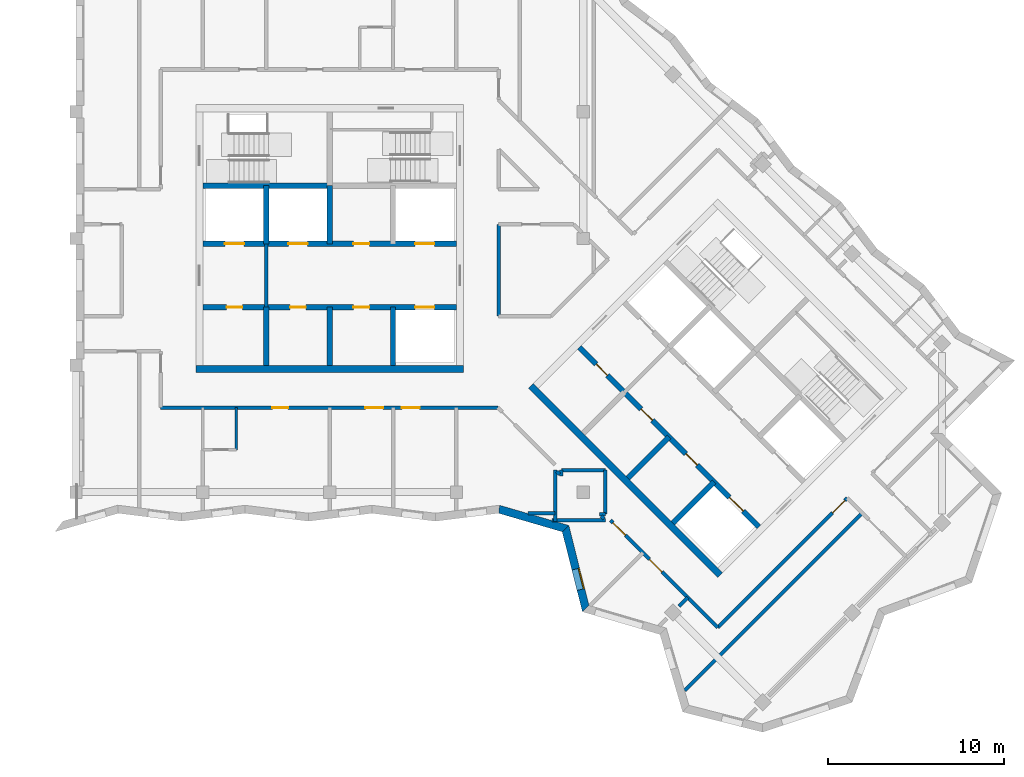
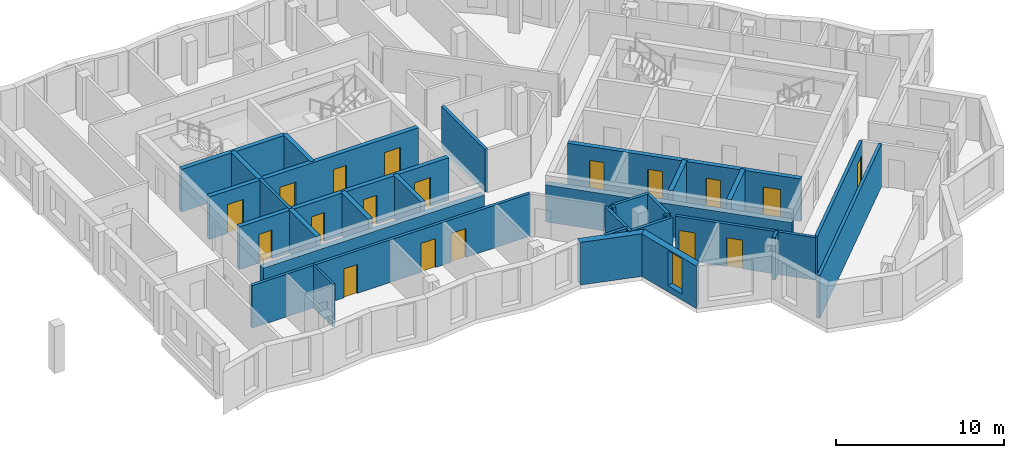
# One storey, part 3 of 12: 32 walls, 18 doors, 1 window, 19 openings.
"""IFC4 building model written with IfcOpenShell, lengths in metres."""

from ifc_helpers import new_model, si_unit, direction, frame, frame_2d, origin, place, context, subcontext, project, spatial, polyline, rectangle, outline, extrude, material, layer, layer_set, type_object, element, fill, save


model = new_model("IFC4")

# Units and contexts
model_context = context("Model", 3, precision=1e-05, world=origin(), true_north=direction((0.0, 1.0)))
body_context = subcontext(model_context, "Body", "Model", "MODEL_VIEW")
ifc_project = project(units=[si_unit("LENGTHUNIT", "METRE"), si_unit("AREAUNIT", "SQUARE_METRE"), si_unit("VOLUMEUNIT", "CUBIC_METRE"), si_unit("PLANEANGLEUNIT", "RADIAN"), si_unit("MASSUNIT", "GRAM", prefix="KILO")], contexts=[model_context])

# Site, building, storey
site_placement = place(None, origin())
site = spatial("IfcSite", under=ifc_project, at=site_placement, CompositionType="ELEMENT")
building_placement = place(site_placement, origin())
building = spatial("IfcBuilding", under=site, at=building_placement, Name="Windrow Commons", CompositionType="ELEMENT")
storey_placement = place(building_placement, frame((0.0, 0.0, 260.8)))
storey = spatial("IfcBuildingStorey", under=building, at=storey_placement, Name="L71", CompositionType="ELEMENT", Elevation=260.8)

# Wall
ifc_material_1 = material(Name="Brick masonry, red clay brick", Category="masonry")
ifc_layer_1 = layer(ifc_material_1, 0.45)
ifc_layer_set_1 = layer_set([ifc_layer_1], Name="Brick facade wall 450")
wall_type_1 = type_object("IfcWallType", Name="Brick facade wall 450", PredefinedType="SOLIDWALL", material=ifc_layer_set_1)
wall_1_placement = place(storey_placement, frame((74.4243, 42.229, 0.0), z_axis=(0.0, 0.0, 1.0), x_axis=(0.9599486399, -0.2801760317, 0.0)))
element("IfcWall", 1, at=wall_1_placement, inside=storey, type_object=wall_type_1, Name="Brick facade wall L71 45", PredefinedType="SOLIDWALL", context=body_context, shape_type="SweptSolid", body=[
    extrude(outline(polyline([(0.0466, -0.225), (3.7977, -0.225), (4.0552, 0.225), (-0.0466, 0.225), (0.0466, -0.225)])), origin(), (0.0, 0.0, 1.0), 3.1),
])

# Wall, opening, window
wall_2_placement = place(storey_placement, frame((78.1935, 41.1289, 0.0), z_axis=(0.0, 0.0, 1.0), x_axis=(0.2448760065, -0.9695544036, 0.0)))
wall_2 = element("IfcWall", 2, at=wall_2_placement, inside=storey, type_object=wall_type_1, Name="Brick facade wall L71 46", PredefinedType="SOLIDWALL", context=body_context, shape_type="SweptSolid", body=[
    extrude(outline(polyline([(0.1287, -0.225), (4.8122, -0.225), (4.555, 0.225), (-0.1287, 0.225), (0.1287, -0.225)])), origin(), (0.0, 0.0, 1.0), 3.1),
])
opening_1_placement = place(wall_2_placement, frame((2.366, 0.0, 0.45)))
opening_1 = element("IfcOpeningElement", 3, at=opening_1_placement, cuts=wall_2, Name="Opening W7F", PredefinedType="OPENING", context=body_context, shape_type="SweptSolid", body=[
    extrude(rectangle(XDim=1.2, YDim=2.55, at=frame_2d((0.6, 1.275))), frame((0.0, 0.235, 0.0), z_axis=(0.0, -1.0, 0.0), x_axis=(1.0, 0.0, 0.0)), (0.0, 0.0, 1.0), 0.47),
])
ifc_material_2 = material(Name="Clear float glass in anodised aluminium frame", Category="aluminium")
window_type = type_object("IfcWindowType", Name="Window W7 notch 1200x2550", PartitioningType="SINGLE_PANEL", PredefinedType="WINDOW", material=ifc_material_2)
window_placement = place(opening_1_placement, origin())
window = element("IfcWindow", 4, at=window_placement, inside=storey, type_object=window_type, Name="Window L71 46.1", OverallHeight=2.55, OverallWidth=1.2, PartitioningType="SINGLE_PANEL", PredefinedType="WINDOW", context=body_context, shape_type="SweptSolid", body=[
    extrude(rectangle(XDim=1.2, YDim=2.55, at=frame_2d((0.6, 1.275))), frame((0.0, 0.205, 0.0), z_axis=(0.0, -1.0, 0.0), x_axis=(1.0, 0.0, 0.0)), (0.0, 0.0, 1.0), 0.06),
])
fill(opening_1, window)

# Wall
ifc_material_3 = material(Name="Blockwork partition", Category="masonry")
ifc_layer_2 = layer(ifc_material_3, 0.2)
ifc_layer_set_2 = layer_set([ifc_layer_2], Name="Fire lobby partition 200")
wall_type_2 = type_object("IfcWallType", Name="Fire lobby partition 200", PredefinedType="PARTITIONING", material=ifc_layer_set_2)
wall_3_placement = place(storey_placement, frame((61.2, 53.7, 0.0), z_axis=(0.0, 0.0, 1.0), x_axis=(0.0, 1.0, 0.0)))
element("IfcWall", 5, at=wall_3_placement, inside=storey, type_object=wall_type_2, Name="W-core-lobby-A-L71", PredefinedType="PARTITIONING", context=body_context, shape_type="SweptSolid", body=[
    extrude(rectangle(XDim=3.6, YDim=0.2, at=frame_2d((1.8, 0.0))), origin(), (0.0, 0.0, 1.0), 3.1),
])

# Wall, openings, doors
ifc_material_4 = material(Name="Blockwork partition", Category="masonry")
ifc_layer_3 = layer(ifc_material_4, 0.2)
ifc_layer_set_3 = layer_set([ifc_layer_3], Name="IW-CORRIDOR-200")
wall_type_3 = type_object("IfcWallType", Name="IW-CORRIDOR-200", PredefinedType="PARTITIONING", material=ifc_layer_set_3)
wall_4_placement = place(storey_placement, frame((55.2, 48.0, 0.0), z_axis=(0.0, 0.0, 1.0), x_axis=(1.0, 0.0, 0.0)))
wall_4 = element("IfcWall", 6, at=wall_4_placement, inside=storey, type_object=wall_type_3, Name="W-L71-W001", PredefinedType="PARTITIONING", context=body_context, shape_type="SweptSolid", body=[
    extrude(rectangle(XDim=19.15, YDim=0.2, at=frame_2d((9.575, 0.0))), origin(), (0.0, 0.0, 1.0), 3.1),
])
opening_2_placement = place(wall_4_placement, frame((6.3434, 0.0, 0.0)))
opening_2 = element("IfcOpeningElement", 7, at=opening_2_placement, cuts=wall_4, Name="Opening D109F", PredefinedType="OPENING", context=body_context, shape_type="SweptSolid", body=[
    extrude(rectangle(XDim=0.9, YDim=2.1, at=frame_2d((0.45, 1.05))), frame((0.0, 0.11, 0.0), z_axis=(0.0, -1.0, 0.0), x_axis=(1.0, 0.0, 0.0)), (0.0, 0.0, 1.0), 0.22),
])
opening_3_placement = place(wall_4_placement, frame((11.6325, 0.0, 0.0)))
opening_3 = element("IfcOpeningElement", 8, at=opening_3_placement, cuts=wall_4, Name="Opening D310F", PredefinedType="OPENING", context=body_context, shape_type="SweptSolid", body=[
    extrude(rectangle(XDim=1.0, YDim=2.1, at=frame_2d((0.5, 1.05))), frame((0.0, 0.11, 0.0), z_axis=(0.0, -1.0, 0.0), x_axis=(1.0, 0.0, 0.0)), (0.0, 0.0, 1.0), 0.22),
])
opening_4_placement = place(wall_4_placement, frame((13.7075, 0.0, 0.0)))
opening_4 = element("IfcOpeningElement", 9, at=opening_4_placement, cuts=wall_4, Name="Opening D310F", PredefinedType="OPENING", context=body_context, shape_type="SweptSolid", body=[
    extrude(rectangle(XDim=1.0, YDim=2.1, at=frame_2d((0.5, 1.05))), frame((0.0, 0.11, 0.0), z_axis=(0.0, -1.0, 0.0), x_axis=(1.0, 0.0, 0.0)), (0.0, 0.0, 1.0), 0.22),
])
ifc_material_5 = material(Name="Timber door leaf", Category="wood")
door_type_1 = type_object("IfcDoorType", Name="DT-AMENITY-1000", OperationType="SINGLE_SWING_LEFT", PredefinedType="DOOR", material=ifc_material_5)
door_1_placement = place(opening_3_placement, origin())
door_1 = element("IfcDoor", 10, at=door_1_placement, inside=storey, type_object=door_type_1, Name="D-L71-D004", OperationType="SINGLE_SWING_LEFT", OverallHeight=2.1, OverallWidth=1.0, PredefinedType="DOOR", context=body_context, shape_type="SweptSolid", body=[
    extrude(rectangle(XDim=1.0, YDim=2.1, at=frame_2d((0.5, 1.05))), frame((0.0, 0.025, 0.0), z_axis=(0.0, -1.0, 0.0), x_axis=(1.0, 0.0, 0.0)), (0.0, 0.0, 1.0), 0.05),
])
fill(opening_3, door_1)
door_2_placement = place(opening_4_placement, origin())
door_2 = element("IfcDoor", 11, at=door_2_placement, inside=storey, type_object=door_type_1, Name="D-L71-D005", OperationType="SINGLE_SWING_RIGHT", OverallHeight=2.1, OverallWidth=1.0, PredefinedType="DOOR", context=body_context, shape_type="SweptSolid", body=[
    extrude(rectangle(XDim=1.0, YDim=2.1, at=frame_2d((0.5, 1.05))), frame((0.0, 0.025, 0.0), z_axis=(0.0, -1.0, 0.0), x_axis=(1.0, 0.0, 0.0)), (0.0, 0.0, 1.0), 0.05),
])
fill(opening_4, door_2)
ifc_material_6 = material(Name="Timber door leaf", Category="wood")
door_type_2 = type_object("IfcDoorType", Name="DT-BEDROOM-900", OperationType="SINGLE_SWING_LEFT", PredefinedType="DOOR", material=ifc_material_6)
door_3_placement = place(opening_2_placement, origin())
door_3 = element("IfcDoor", 12, at=door_3_placement, inside=storey, type_object=door_type_2, Name="D-L71-D002", OperationType="SINGLE_SWING_LEFT", OverallHeight=2.1, OverallWidth=0.9, PredefinedType="DOOR", context=body_context, shape_type="SweptSolid", body=[
    extrude(rectangle(XDim=0.9, YDim=2.1, at=frame_2d((0.45, 1.05))), frame((0.0, 0.025, 0.0), z_axis=(0.0, -1.0, 0.0), x_axis=(1.0, 0.0, 0.0)), (0.0, 0.0, 1.0), 0.05),
])
fill(opening_2, door_3)

# Wall, opening, door
wall_5_placement = place(storey_placement, frame((86.8359, 35.5141, 0.0), z_axis=(0.0, 0.0, 1.0), x_axis=(0.7071067812, 0.7071067812, 0.0)))
wall_5 = element("IfcWall", 13, at=wall_5_placement, inside=storey, type_object=wall_type_3, Name="W-L71-W006", PredefinedType="PARTITIONING", context=body_context, shape_type="SweptSolid", body=[
    extrude(rectangle(XDim=10.4001, YDim=0.2, at=frame_2d((5.2001, 0.0))), origin(), (0.0, 0.0, 1.0), 3.1),
])
opening_5_placement = place(wall_5_placement, frame((9.2073, 0.0, 0.0)))
opening_5 = element("IfcOpeningElement", 14, at=opening_5_placement, cuts=wall_5, Name="Opening D310F", PredefinedType="OPENING", context=body_context, shape_type="SweptSolid", body=[
    extrude(rectangle(XDim=1.0, YDim=2.1, at=frame_2d((0.5, 1.05))), frame((0.0, 0.11, 0.0), z_axis=(0.0, -1.0, 0.0), x_axis=(1.0, 0.0, 0.0)), (0.0, 0.0, 1.0), 0.22),
])
door_4_placement = place(opening_5_placement, origin())
door_4 = element("IfcDoor", 15, at=door_4_placement, inside=storey, type_object=door_type_1, Name="D-L71-D027", OperationType="SINGLE_SWING_RIGHT", OverallHeight=2.1, OverallWidth=1.0, PredefinedType="DOOR", context=body_context, shape_type="SweptSolid", body=[
    extrude(rectangle(XDim=1.0, YDim=2.1, at=frame_2d((0.5, 1.05))), frame((0.0, 0.025, 0.0), z_axis=(0.0, -1.0, 0.0), x_axis=(1.0, 0.0, 0.0)), (0.0, 0.0, 1.0), 0.05),
])
fill(opening_5, door_4)

# Wall, openings, doors
wall_6_placement = place(storey_placement, frame((80.7468, 41.5968, 0.0), z_axis=(0.0, 0.0, 1.0), x_axis=(0.7071067812, -0.7071067812, 0.0)))
wall_6 = element("IfcWall", 16, at=wall_6_placement, inside=storey, type_object=wall_type_3, Name="W-L71-W009", PredefinedType="PARTITIONING", context=body_context, shape_type="SweptSolid", body=[
    extrude(rectangle(XDim=8.6069, YDim=0.2, at=frame_2d((4.3034, 0.0))), origin(), (0.0, 0.0, 1.0), 3.1),
])
opening_6_placement = place(wall_6_placement, frame((0.1948, 0.0, 0.0)))
opening_6 = element("IfcOpeningElement", 17, at=opening_6_placement, cuts=wall_6, Name="Opening D310F", PredefinedType="OPENING", context=body_context, shape_type="SweptSolid", body=[
    extrude(rectangle(XDim=1.0, YDim=2.1, at=frame_2d((0.5, 1.05))), frame((0.0, 0.11, 0.0), z_axis=(0.0, -1.0, 0.0), x_axis=(1.0, 0.0, 0.0)), (0.0, 0.0, 1.0), 0.22),
])
opening_7_placement = place(wall_6_placement, frame((3.1329, 0.0, 0.0)))
opening_7 = element("IfcOpeningElement", 18, at=opening_7_placement, cuts=wall_6, Name="Opening D410F", PredefinedType="OPENING", context=body_context, shape_type="SweptSolid", body=[
    extrude(rectangle(XDim=1.0, YDim=2.1, at=frame_2d((0.5, 1.05))), frame((0.0, 0.11, 0.0), z_axis=(0.0, -1.0, 0.0), x_axis=(1.0, 0.0, 0.0)), (0.0, 0.0, 1.0), 0.22),
])
door_5_placement = place(opening_6_placement, origin())
door_5 = element("IfcDoor", 19, at=door_5_placement, inside=storey, type_object=door_type_1, Name="D-L71-D025", OperationType="SINGLE_SWING_LEFT", OverallHeight=2.1, OverallWidth=1.0, PredefinedType="DOOR", context=body_context, shape_type="SweptSolid", body=[
    extrude(rectangle(XDim=1.0, YDim=2.1, at=frame_2d((0.5, 1.05))), frame((0.0, 0.025, 0.0), z_axis=(0.0, -1.0, 0.0), x_axis=(1.0, 0.0, 0.0)), (0.0, 0.0, 1.0), 0.05),
])
fill(opening_6, door_5)
ifc_material_7 = material(Name="Timber door leaf", Category="wood")
door_type_3 = type_object("IfcDoorType", Name="DT-SERVICE-1000", OperationType="SINGLE_SWING_LEFT", PredefinedType="DOOR", material=ifc_material_7)
door_6_placement = place(opening_7_placement, origin())
door_6 = element("IfcDoor", 20, at=door_6_placement, inside=storey, type_object=door_type_3, Name="D-L71-D026", OperationType="SINGLE_SWING_LEFT", OverallHeight=2.1, OverallWidth=1.0, PredefinedType="DOOR", context=body_context, shape_type="SweptSolid", body=[
    extrude(rectangle(XDim=1.0, YDim=2.1, at=frame_2d((0.5, 1.05))), frame((0.0, 0.025, 0.0), z_axis=(0.0, -1.0, 0.0), x_axis=(1.0, 0.0, 0.0)), (0.0, 0.0, 1.0), 0.05),
])
fill(opening_7, door_6)

# Walls
wall_7_placement = place(storey_placement, frame((74.4, 53.202, 0.0), z_axis=(0.0, 0.0, 1.0), x_axis=(0.0, 1.0, 0.0)))
element("IfcWall", 21, at=wall_7_placement, inside=storey, type_object=wall_type_3, Name="W-L71-W020", PredefinedType="PARTITIONING", context=body_context, shape_type="SweptSolid", body=[
    extrude(rectangle(XDim=5.198, YDim=0.2, at=frame_2d((2.599, 0.0))), origin(), (0.0, 0.0, 1.0), 3.1),
])
for number, where, z_axis, x_axis, name in (
    (22, (80.45, 41.952, 0.0), (0.0, 0.0, 1.0), (0.0, 1.0, 0.0), "W-L71-W046"),
    (23, (77.952, 44.45, 0.0), (0.0, 0.0, 1.0), (1.0, 0.0, 0.0), "W-L71-W047"),
):
    element("IfcWall", number, at=place(storey_placement, frame(where, z_axis=z_axis, x_axis=x_axis)), inside=storey, type_object=wall_type_3, Name=name, PredefinedType="PARTITIONING", context=body_context, shape_type="SweptSolid", body=[
        extrude(rectangle(XDim=2.498, YDim=0.2, at=frame_2d((1.249, 0.0))), origin(), (0.0, 0.0, 1.0), 3.1),
    ])
for number, where, z_axis, x_axis, name in (
    (24, (80.2205, 41.8545, 0.0), (0.0, 0.0, 1.0), (0.7068844555, -0.707329037, 0.0), "W-L71-W092"),
    (25, (77.6954, 44.3795, 0.0), (0.0, 0.0, 1.0), (0.707329037, -0.7068844555, 0.0), "W-L71-W093"),
):
    element("IfcWall", number, at=place(storey_placement, frame(where, z_axis=z_axis, x_axis=x_axis)), inside=storey, type_object=wall_type_3, Name=name, PredefinedType="PARTITIONING", context=body_context, shape_type="SweptSolid", body=[
        extrude(rectangle(XDim=0.2249, YDim=0.2, at=frame_2d((0.1124, 0.0))), origin(), (0.0, 0.0, 1.0), 3.1),
    ])
for number, where, z_axis, x_axis, name in (
    (26, (80.118, 41.95, 0.0), (0.0, 0.0, 1.0), (1.0, 0.0, 0.0), "W-L71-W101"),
    (27, (77.95, 44.118, 0.0), (0.0, 0.0, 1.0), (0.0, 1.0, 0.0), "W-L71-W102"),
):
    element("IfcWall", number, at=place(storey_placement, frame(where, z_axis=z_axis, x_axis=x_axis)), inside=storey, type_object=wall_type_3, Name=name, PredefinedType="PARTITIONING", context=body_context, shape_type="SweptSolid", body=[
        extrude(rectangle(XDim=0.332, YDim=0.2, at=frame_2d((0.166, 0.0))), origin(), (0.0, 0.0, 1.0), 3.1),
    ])
ifc_material_8 = material(Name="Blockwork partition", Category="masonry")
ifc_layer_4 = layer(ifc_material_8, 0.15)
ifc_layer_set_4 = layer_set([ifc_layer_4], Name="IW-ENSUITE-150")
wall_type_4 = type_object("IfcWallType", Name="IW-ENSUITE-150", PredefinedType="PARTITIONING", material=ifc_layer_set_4)
wall_8_placement = place(storey_placement, frame((59.5, 45.6, 0.0), z_axis=(0.0, 0.0, 1.0), x_axis=(0.0, 1.0, 0.0)))
element("IfcWall", 28, at=wall_8_placement, inside=storey, type_object=wall_type_4, Name="W-L71-W049", PredefinedType="PARTITIONING", context=body_context, shape_type="SweptSolid", body=[
    extrude(rectangle(XDim=2.4, YDim=0.15, at=frame_2d((1.2, 0.0))), origin(), (0.0, 0.0, 1.0), 3.1),
])
ifc_material_9 = material(Name="Blockwork partition", Category="masonry")
ifc_layer_5 = layer(ifc_material_9, 0.2)
ifc_layer_set_5 = layer_set([ifc_layer_5], Name="IW-PARTY-200")
wall_type_5 = type_object("IfcWallType", Name="IW-PARTY-200", PredefinedType="PARTITIONING", material=ifc_layer_set_5)
wall_9_placement = place(storey_placement, frame((84.9539, 31.9375, 0.0), z_axis=(0.0, 0.0, 1.0), x_axis=(0.7071769042, 0.7070366512, 0.0)))
element("IfcWall", 29, at=wall_9_placement, inside=storey, type_object=wall_type_5, Name="W-L71-W002", PredefinedType="PARTITIONING", context=body_context, shape_type="SweptSolid", body=[
    extrude(rectangle(XDim=14.2599, YDim=0.2, at=frame_2d((7.13, 0.0))), origin(), (0.0, 0.0, 1.0), 3.1),
])
wall_10_placement = place(storey_placement, frame((77.4326, 41.6, 0.0), z_axis=(0.0, 0.0, 1.0), x_axis=(1.0, 0.0, 0.0)))
element("IfcWall", 30, at=wall_10_placement, inside=storey, type_object=wall_type_5, Name="W-L71-W042", PredefinedType="PARTITIONING", context=body_context, shape_type="SweptSolid", body=[
    extrude(rectangle(XDim=3.0354, YDim=0.2, at=frame_2d((1.5177, 0.0))), origin(), (0.0, 0.0, 1.0), 3.1),
])
wall_11_placement = place(storey_placement, frame((77.6, 41.5365, 0.0), z_axis=(0.0, 0.0, 1.0), x_axis=(0.0, 1.0, 0.0)))
element("IfcWall", 31, at=wall_11_placement, inside=storey, type_object=wall_type_5, Name="W-L71-W044", PredefinedType="PARTITIONING", context=body_context, shape_type="SweptSolid", body=[
    extrude(rectangle(XDim=2.9315, YDim=0.2, at=frame_2d((1.4658, 0.0))), origin(), (0.0, 0.0, 1.0), 3.1),
])
wall_12_placement = place(storey_placement, frame((76.0621, 42.0, 0.0), z_axis=(0.0, 0.0, 1.0), x_axis=(1.0, 0.0, 0.0)))
element("IfcWall", 32, at=wall_12_placement, inside=storey, type_object=wall_type_5, Name="W-L71-W072", PredefinedType="PARTITIONING", context=body_context, shape_type="SweptSolid", body=[
    extrude(rectangle(XDim=1.5379, YDim=0.2, at=frame_2d((0.769, 0.0))), origin(), (0.0, 0.0, 1.0), 3.1),
])
wall_13_placement = place(storey_placement, frame((84.6408, 36.7132, 0.0), z_axis=(0.0, 0.0, 1.0), x_axis=(0.7071067812, 0.7071067812, 0.0)))
element("IfcWall", 33, at=wall_13_placement, inside=storey, type_object=wall_type_5, Name="W-L71-W083", PredefinedType="PARTITIONING", context=body_context, shape_type="SweptSolid", body=[
    extrude(rectangle(XDim=0.7043, YDim=0.2, at=frame_2d((0.3522, 0.0))), origin(), (0.0, 0.0, 1.0), 3.1),
])
ifc_material_10 = material(Name="Concrete C40/50", Category="concrete")
ifc_layer_6 = layer(ifc_material_10, 0.4)
ifc_layer_set_6 = layer_set([ifc_layer_6], Name="RC CORE WALL 400 C40/50")
wall_type_6 = type_object("IfcWallType", Name="RC CORE WALL 400 C40/50", PredefinedType="SHEAR", material=ifc_layer_set_6)
for number, where, z_axis, x_axis, name in (
    (34, (57.2, 50.2, -0.3), (0.0, 0.0, 1.0), (1.0, 0.0, 0.0), "Core A wall outer-S"),
    (35, (76.2302, 49.2312, -0.3), (0.0, 0.0, 1.0), (0.7071034917, -0.7071100706, 0.0), "Core B wall outer-S"),
):
    element("IfcWall", number, at=place(storey_placement, frame(where, z_axis=z_axis, x_axis=x_axis)), inside=storey, type_object=wall_type_6, Name=name, PredefinedType="SHEAR", context=body_context, shape_type="SweptSolid", body=[
        extrude(rectangle(XDim=15.2, YDim=0.4, at=frame_2d((7.6, 0.0))), origin(), (0.0, 0.0, 1.0), 2.7),
    ])
ifc_material_11 = material(Name="Concrete C40/50", Category="concrete")
ifc_layer_7 = layer(ifc_material_11, 0.3)
ifc_layer_set_7 = layer_set([ifc_layer_7], Name="RC SHAFT WALL 300 C40/50")
wall_type_7 = type_object("IfcWallType", Name="RC SHAFT WALL 300 C40/50", PredefinedType="SOLIDWALL", material=ifc_layer_set_7)
for number, where, z_axis, x_axis, name in (
    (36, (61.2, 50.4, 0.0), (0.0, 0.0, 1.0), (0.0, 1.0, 0.0), "Core A wall shaft-S1"),
    (37, (61.2, 57.3, 0.0), (0.0, 0.0, 1.0), (0.0, 1.0, 0.0), "Core A wall shaft-N1"),
    (38, (64.8, 50.4, 0.0), (0.0, 0.0, 1.0), (0.0, 1.0, 0.0), "Core A wall shaft-S2"),
    (39, (64.8, 57.3, 0.0), (0.0, 0.0, 1.0), (0.0, 1.0, 0.0), "Core A wall shaft-N2"),
    (40, (68.4, 50.4, 0.0), (0.0, 0.0, 1.0), (0.0, 1.0, 0.0), "Core A wall shaft-S3"),
):
    element("IfcWall", number, at=place(storey_placement, frame(where, z_axis=z_axis, x_axis=x_axis)), inside=storey, type_object=wall_type_7, Name=name, PredefinedType="SOLIDWALL", context=body_context, shape_type="SweptSolid", body=[
        extrude(rectangle(XDim=3.3, YDim=0.3, at=frame_2d((1.65, 0.0))), origin(), (0.0, 0.0, 1.0), 3.1),
    ])

# Wall, openings, doors
wall_14_placement = place(storey_placement, frame((57.6, 53.7, 0.0), z_axis=(0.0, 0.0, 1.0), x_axis=(1.0, 0.0, 0.0)))
wall_14 = element("IfcWall", 41, at=wall_14_placement, inside=storey, type_object=wall_type_7, Name="Core A wall lobby-S", PredefinedType="SOLIDWALL", context=body_context, shape_type="SweptSolid", body=[
    extrude(rectangle(XDim=14.4, YDim=0.3, at=frame_2d((7.2, 0.0))), origin(), (0.0, 0.0, 1.0), 3.1),
])
opening_8_placement = place(wall_14_placement, frame((1.35, 0.0, 0.0)))
opening_8 = element("IfcOpeningElement", 42, at=opening_8_placement, cuts=wall_14, Name="Opening D8", PredefinedType="OPENING", context=body_context, shape_type="SweptSolid", body=[
    extrude(rectangle(XDim=0.9, YDim=2.1, at=frame_2d((0.45, 1.05))), frame((0.0, 0.16, 0.0), z_axis=(0.0, -1.0, 0.0), x_axis=(1.0, 0.0, 0.0)), (0.0, 0.0, 1.0), 0.32),
])
opening_9_placement = place(wall_14_placement, frame((4.95, 0.0, 0.0)))
opening_9 = element("IfcOpeningElement", 43, at=opening_9_placement, cuts=wall_14, Name="Opening D8", PredefinedType="OPENING", context=body_context, shape_type="SweptSolid", body=[
    extrude(rectangle(XDim=0.9, YDim=2.1, at=frame_2d((0.45, 1.05))), frame((0.0, 0.16, 0.0), z_axis=(0.0, -1.0, 0.0), x_axis=(1.0, 0.0, 0.0)), (0.0, 0.0, 1.0), 0.32),
])
opening_10_placement = place(wall_14_placement, frame((8.55, 0.0, 0.0)))
opening_10 = element("IfcOpeningElement", 44, at=opening_10_placement, cuts=wall_14, Name="Opening D8", PredefinedType="OPENING", context=body_context, shape_type="SweptSolid", body=[
    extrude(rectangle(XDim=0.9, YDim=2.1, at=frame_2d((0.45, 1.05))), frame((0.0, 0.16, 0.0), z_axis=(0.0, -1.0, 0.0), x_axis=(1.0, 0.0, 0.0)), (0.0, 0.0, 1.0), 0.32),
])
opening_11_placement = place(wall_14_placement, frame((12.05, 0.0, 0.0)))
opening_11 = element("IfcOpeningElement", 45, at=opening_11_placement, cuts=wall_14, Name="Opening LD", PredefinedType="OPENING", context=body_context, shape_type="SweptSolid", body=[
    extrude(rectangle(XDim=1.1, YDim=2.1, at=frame_2d((0.55, 1.05))), frame((0.0, 0.16, 0.0), z_axis=(0.0, -1.0, 0.0), x_axis=(1.0, 0.0, 0.0)), (0.0, 0.0, 1.0), 0.32),
])
ifc_material_12 = material(Name="Steel fire door leaf", Category="steel")
door_type_4 = type_object("IfcDoorType", Name="Core store door 900", OperationType="SINGLE_SWING_LEFT", PredefinedType="DOOR", material=ifc_material_12)
door_7_placement = place(opening_8_placement, origin())
door_7 = element("IfcDoor", 46, at=door_7_placement, inside=storey, type_object=door_type_4, Name="Store door", OperationType="SINGLE_SWING_LEFT", OverallHeight=2.1, OverallWidth=0.9, PredefinedType="DOOR", context=body_context, shape_type="SweptSolid", body=[
    extrude(rectangle(XDim=0.9, YDim=2.1, at=frame_2d((0.45, 1.05))), frame((0.0, 0.025, 0.0), z_axis=(0.0, -1.0, 0.0), x_axis=(1.0, 0.0, 0.0)), (0.0, 0.0, 1.0), 0.05),
])
fill(opening_8, door_7)
door_8_placement = place(opening_9_placement, origin())
door_8 = element("IfcDoor", 47, at=door_8_placement, inside=storey, type_object=door_type_4, Name="Store door", OperationType="SINGLE_SWING_LEFT", OverallHeight=2.1, OverallWidth=0.9, PredefinedType="DOOR", context=body_context, shape_type="SweptSolid", body=[
    extrude(rectangle(XDim=0.9, YDim=2.1, at=frame_2d((0.45, 1.05))), frame((0.0, 0.025, 0.0), z_axis=(0.0, -1.0, 0.0), x_axis=(1.0, 0.0, 0.0)), (0.0, 0.0, 1.0), 0.05),
])
fill(opening_9, door_8)
door_9_placement = place(opening_10_placement, origin())
door_9 = element("IfcDoor", 48, at=door_9_placement, inside=storey, type_object=door_type_4, Name="Store door", OperationType="SINGLE_SWING_LEFT", OverallHeight=2.1, OverallWidth=0.9, PredefinedType="DOOR", context=body_context, shape_type="SweptSolid", body=[
    extrude(rectangle(XDim=0.9, YDim=2.1, at=frame_2d((0.45, 1.05))), frame((0.0, 0.025, 0.0), z_axis=(0.0, -1.0, 0.0), x_axis=(1.0, 0.0, 0.0)), (0.0, 0.0, 1.0), 0.05),
])
fill(opening_10, door_9)
ifc_material_13 = material(Name="Stainless steel door leaf", Category="steel")
door_type_5 = type_object("IfcDoorType", Name="Lift landing door 1100", OperationType="SLIDING_TO_LEFT", PredefinedType="DOOR", material=ifc_material_13)
door_10_placement = place(opening_11_placement, origin())
door_10 = element("IfcDoor", 49, at=door_10_placement, inside=storey, type_object=door_type_5, Name="Lift landing door", OperationType="SLIDING_TO_RIGHT", OverallHeight=2.1, OverallWidth=1.1, PredefinedType="DOOR", context=body_context, shape_type="SweptSolid", body=[
    extrude(rectangle(XDim=1.1, YDim=2.1, at=frame_2d((0.55, 1.05))), frame((0.0, 0.025, 0.0), z_axis=(0.0, -1.0, 0.0), x_axis=(1.0, 0.0, 0.0)), (0.0, 0.0, 1.0), 0.05),
])
fill(opening_11, door_10)

wall_15_placement = place(storey_placement, frame((57.6, 57.3, 0.0), z_axis=(0.0, 0.0, 1.0), x_axis=(1.0, 0.0, 0.0)))
wall_15 = element("IfcWall", 50, at=wall_15_placement, inside=storey, type_object=wall_type_7, Name="Core A wall lobby-N", PredefinedType="SOLIDWALL", context=body_context, shape_type="SweptSolid", body=[
    extrude(rectangle(XDim=14.4, YDim=0.3, at=frame_2d((7.2, 0.0))), origin(), (0.0, 0.0, 1.0), 3.1),
])
opening_12_placement = place(wall_15_placement, frame((8.55, 0.0, 0.0)))
opening_12 = element("IfcOpeningElement", 51, at=opening_12_placement, cuts=wall_15, Name="Opening D8", PredefinedType="OPENING", context=body_context, shape_type="SweptSolid", body=[
    extrude(rectangle(XDim=0.9, YDim=2.1, at=frame_2d((0.45, 1.05))), frame((0.0, 0.16, 0.0), z_axis=(0.0, -1.0, 0.0), x_axis=(1.0, 0.0, 0.0)), (0.0, 0.0, 1.0), 0.32),
])
opening_13_placement = place(wall_15_placement, frame((1.25, 0.0, 0.0)))
opening_13 = element("IfcOpeningElement", 52, at=opening_13_placement, cuts=wall_15, Name="Opening LD", PredefinedType="OPENING", context=body_context, shape_type="SweptSolid", body=[
    extrude(rectangle(XDim=1.1, YDim=2.1, at=frame_2d((0.55, 1.05))), frame((0.0, 0.16, 0.0), z_axis=(0.0, -1.0, 0.0), x_axis=(1.0, 0.0, 0.0)), (0.0, 0.0, 1.0), 0.32),
])
opening_14_placement = place(wall_15_placement, frame((4.85, 0.0, 0.0)))
opening_14 = element("IfcOpeningElement", 53, at=opening_14_placement, cuts=wall_15, Name="Opening LD", PredefinedType="OPENING", context=body_context, shape_type="SweptSolid", body=[
    extrude(rectangle(XDim=1.1, YDim=2.1, at=frame_2d((0.55, 1.05))), frame((0.0, 0.16, 0.0), z_axis=(0.0, -1.0, 0.0), x_axis=(1.0, 0.0, 0.0)), (0.0, 0.0, 1.0), 0.32),
])
opening_15_placement = place(wall_15_placement, frame((12.05, 0.0, 0.0)))
opening_15 = element("IfcOpeningElement", 54, at=opening_15_placement, cuts=wall_15, Name="Opening LD", PredefinedType="OPENING", context=body_context, shape_type="SweptSolid", body=[
    extrude(rectangle(XDim=1.1, YDim=2.1, at=frame_2d((0.55, 1.05))), frame((0.0, 0.16, 0.0), z_axis=(0.0, -1.0, 0.0), x_axis=(1.0, 0.0, 0.0)), (0.0, 0.0, 1.0), 0.32),
])
door_11_placement = place(opening_12_placement, origin())
door_11 = element("IfcDoor", 55, at=door_11_placement, inside=storey, type_object=door_type_4, Name="Store door", OperationType="SINGLE_SWING_LEFT", OverallHeight=2.1, OverallWidth=0.9, PredefinedType="DOOR", context=body_context, shape_type="SweptSolid", body=[
    extrude(rectangle(XDim=0.9, YDim=2.1, at=frame_2d((0.45, 1.05))), frame((0.0, 0.025, 0.0), z_axis=(0.0, -1.0, 0.0), x_axis=(1.0, 0.0, 0.0)), (0.0, 0.0, 1.0), 0.05),
])
fill(opening_12, door_11)
door_12_placement = place(opening_13_placement, origin())
door_12 = element("IfcDoor", 56, at=door_12_placement, inside=storey, type_object=door_type_5, Name="Lift landing door", OperationType="SLIDING_TO_LEFT", OverallHeight=2.1, OverallWidth=1.1, PredefinedType="DOOR", context=body_context, shape_type="SweptSolid", body=[
    extrude(rectangle(XDim=1.1, YDim=2.1, at=frame_2d((0.55, 1.05))), frame((0.0, 0.025, 0.0), z_axis=(0.0, -1.0, 0.0), x_axis=(1.0, 0.0, 0.0)), (0.0, 0.0, 1.0), 0.05),
])
fill(opening_13, door_12)
door_13_placement = place(opening_14_placement, origin())
door_13 = element("IfcDoor", 57, at=door_13_placement, inside=storey, type_object=door_type_5, Name="Lift landing door", OperationType="SLIDING_TO_RIGHT", OverallHeight=2.1, OverallWidth=1.1, PredefinedType="DOOR", context=body_context, shape_type="SweptSolid", body=[
    extrude(rectangle(XDim=1.1, YDim=2.1, at=frame_2d((0.55, 1.05))), frame((0.0, 0.025, 0.0), z_axis=(0.0, -1.0, 0.0), x_axis=(1.0, 0.0, 0.0)), (0.0, 0.0, 1.0), 0.05),
])
fill(opening_14, door_13)
door_14_placement = place(opening_15_placement, origin())
door_14 = element("IfcDoor", 58, at=door_14_placement, inside=storey, type_object=door_type_5, Name="Lift landing door", OperationType="SLIDING_TO_RIGHT", OverallHeight=2.1, OverallWidth=1.1, PredefinedType="DOOR", context=body_context, shape_type="SweptSolid", body=[
    extrude(rectangle(XDim=1.1, YDim=2.1, at=frame_2d((0.55, 1.05))), frame((0.0, 0.025, 0.0), z_axis=(0.0, -1.0, 0.0), x_axis=(1.0, 0.0, 0.0)), (0.0, 0.0, 1.0), 0.05),
])
fill(opening_15, door_14)

# Walls
wall_16_placement = place(storey_placement, frame((57.6, 60.6, 0.0), z_axis=(0.0, 0.0, 1.0), x_axis=(1.0, 0.0, 0.0)))
element("IfcWall", 59, at=wall_16_placement, inside=storey, type_object=wall_type_7, Name="Core A wall stair-S", PredefinedType="SOLIDWALL", context=body_context, shape_type="SweptSolid", body=[
    extrude(rectangle(XDim=7.2, YDim=0.3, at=frame_2d((3.6, 0.0))), origin(), (0.0, 0.0, 1.0), 3.1),
])
for number, where, z_axis, x_axis, name in (
    (60, (81.7456, 43.9986, 0.0), (0.0, 0.0, 1.0), (0.7071067812, 0.7071067812, 0.0), "Core B wall shaft-S2"),
    (61, (84.2912, 41.453, 0.0), (0.0, 0.0, 1.0), (0.7071067812, 0.7071067812, 0.0), "Core B wall shaft-S3"),
):
    element("IfcWall", number, at=place(storey_placement, frame(where, z_axis=z_axis, x_axis=x_axis)), inside=storey, type_object=wall_type_7, Name=name, PredefinedType="SOLIDWALL", context=body_context, shape_type="SweptSolid", body=[
        extrude(rectangle(XDim=3.2999, YDim=0.3, at=frame_2d((1.65, 0.0))), origin(), (0.0, 0.0, 1.0), 3.1),
    ])

# Wall, openings, doors
wall_17_placement = place(storey_placement, frame((78.9879, 51.4232, 0.0), z_axis=(0.0, 0.0, 1.0), x_axis=(0.7071067812, -0.7071067812, 0.0)))
wall_17 = element("IfcWall", 62, at=wall_17_placement, inside=storey, type_object=wall_type_7, Name="Core B wall lobby-S", PredefinedType="SOLIDWALL", context=body_context, shape_type="SweptSolid", body=[
    extrude(rectangle(XDim=14.3999, YDim=0.3, at=frame_2d((7.2, 0.0))), origin(), (0.0, 0.0, 1.0), 3.1),
])
opening_16_placement = place(wall_17_placement, frame((1.35, 0.0, 0.0)))
opening_16 = element("IfcOpeningElement", 63, at=opening_16_placement, cuts=wall_17, Name="Opening D8", PredefinedType="OPENING", context=body_context, shape_type="SweptSolid", body=[
    extrude(rectangle(XDim=0.9, YDim=2.1, at=frame_2d((0.45, 1.05))), frame((0.0, 0.16, 0.0), z_axis=(0.0, -1.0, 0.0), x_axis=(1.0, 0.0, 0.0)), (0.0, 0.0, 1.0), 0.32),
])
opening_17_placement = place(wall_17_placement, frame((4.95, 0.0, 0.0)))
opening_17 = element("IfcOpeningElement", 64, at=opening_17_placement, cuts=wall_17, Name="Opening D8", PredefinedType="OPENING", context=body_context, shape_type="SweptSolid", body=[
    extrude(rectangle(XDim=0.9, YDim=2.1, at=frame_2d((0.45, 1.05))), frame((0.0, 0.16, 0.0), z_axis=(0.0, -1.0, 0.0), x_axis=(1.0, 0.0, 0.0)), (0.0, 0.0, 1.0), 0.32),
])
opening_18_placement = place(wall_17_placement, frame((8.55, 0.0, 0.0)))
opening_18 = element("IfcOpeningElement", 65, at=opening_18_placement, cuts=wall_17, Name="Opening D8", PredefinedType="OPENING", context=body_context, shape_type="SweptSolid", body=[
    extrude(rectangle(XDim=0.9, YDim=2.1, at=frame_2d((0.45, 1.05))), frame((0.0, 0.16, 0.0), z_axis=(0.0, -1.0, 0.0), x_axis=(1.0, 0.0, 0.0)), (0.0, 0.0, 1.0), 0.32),
])
opening_19_placement = place(wall_17_placement, frame((12.05, 0.0, 0.0)))
opening_19 = element("IfcOpeningElement", 66, at=opening_19_placement, cuts=wall_17, Name="Opening LD", PredefinedType="OPENING", context=body_context, shape_type="SweptSolid", body=[
    extrude(rectangle(XDim=1.1, YDim=2.1, at=frame_2d((0.55, 1.05))), frame((0.0, 0.16, 0.0), z_axis=(0.0, -1.0, 0.0), x_axis=(1.0, 0.0, 0.0)), (0.0, 0.0, 1.0), 0.32),
])
door_15_placement = place(opening_16_placement, origin())
door_15 = element("IfcDoor", 67, at=door_15_placement, inside=storey, type_object=door_type_4, Name="Store door", OperationType="SINGLE_SWING_LEFT", OverallHeight=2.1, OverallWidth=0.9, PredefinedType="DOOR", context=body_context, shape_type="SweptSolid", body=[
    extrude(rectangle(XDim=0.9, YDim=2.1, at=frame_2d((0.45, 1.05))), frame((0.0, 0.025, 0.0), z_axis=(0.0, -1.0, 0.0), x_axis=(1.0, 0.0, 0.0)), (0.0, 0.0, 1.0), 0.05),
])
fill(opening_16, door_15)
door_16_placement = place(opening_17_placement, origin())
door_16 = element("IfcDoor", 68, at=door_16_placement, inside=storey, type_object=door_type_4, Name="Store door", OperationType="SINGLE_SWING_LEFT", OverallHeight=2.1, OverallWidth=0.9, PredefinedType="DOOR", context=body_context, shape_type="SweptSolid", body=[
    extrude(rectangle(XDim=0.9, YDim=2.1, at=frame_2d((0.45, 1.05))), frame((0.0, 0.025, 0.0), z_axis=(0.0, -1.0, 0.0), x_axis=(1.0, 0.0, 0.0)), (0.0, 0.0, 1.0), 0.05),
])
fill(opening_17, door_16)
door_17_placement = place(opening_18_placement, origin())
door_17 = element("IfcDoor", 69, at=door_17_placement, inside=storey, type_object=door_type_4, Name="Store door", OperationType="SINGLE_SWING_LEFT", OverallHeight=2.1, OverallWidth=0.9, PredefinedType="DOOR", context=body_context, shape_type="SweptSolid", body=[
    extrude(rectangle(XDim=0.9, YDim=2.1, at=frame_2d((0.45, 1.05))), frame((0.0, 0.025, 0.0), z_axis=(0.0, -1.0, 0.0), x_axis=(1.0, 0.0, 0.0)), (0.0, 0.0, 1.0), 0.05),
])
fill(opening_18, door_17)
door_18_placement = place(opening_19_placement, origin())
door_18 = element("IfcDoor", 70, at=door_18_placement, inside=storey, type_object=door_type_5, Name="Lift landing door", OperationType="SLIDING_TO_RIGHT", OverallHeight=2.1, OverallWidth=1.1, PredefinedType="DOOR", context=body_context, shape_type="SweptSolid", body=[
    extrude(rectangle(XDim=1.1, YDim=2.1, at=frame_2d((0.55, 1.05))), frame((0.0, 0.025, 0.0), z_axis=(0.0, -1.0, 0.0), x_axis=(1.0, 0.0, 0.0)), (0.0, 0.0, 1.0), 0.05),
])
fill(opening_19, door_18)

save(model, "model.ifc")
